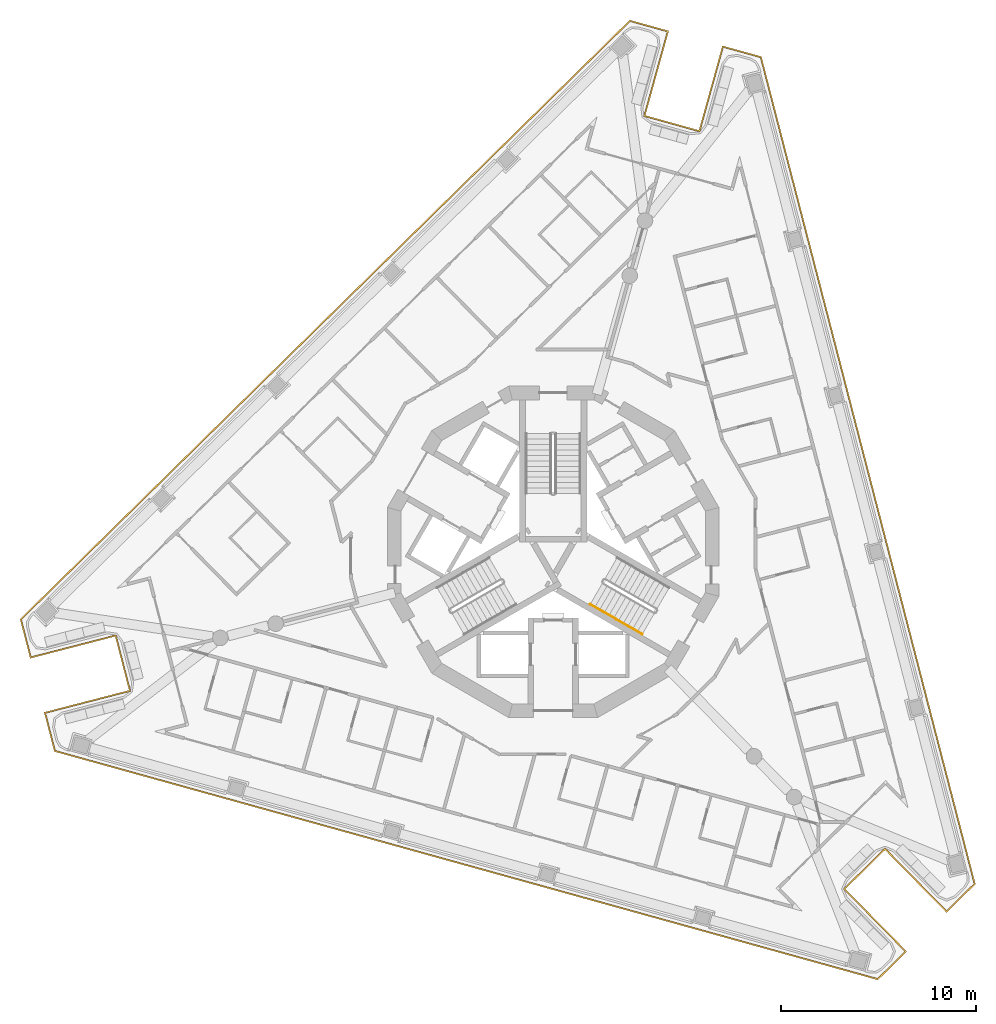
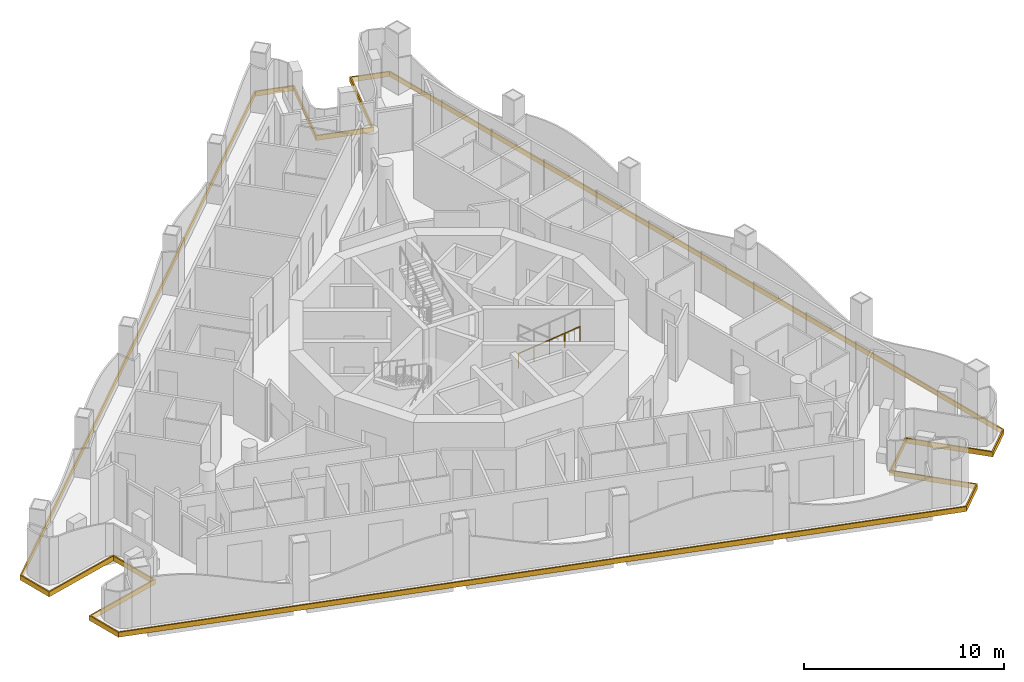
# One storey, part 12 of 15: 2 railings, 1 covering.
"""IFC4 building model written with IfcOpenShell, lengths in metres."""

from ifc_helpers import new_model, si_unit, direction, frame, origin, origin_2d, place, context, subcontext, project, spatial, polyline, circle, outline, extrude, material, layer, layer_set, type_object, element, save


model = new_model("IFC4")

# Units and contexts
model_context = context("Model", 3, precision=1e-05, world=origin(), true_north=direction((0.0, 1.0)))
body_context = subcontext(model_context, "Body", "Model", "MODEL_VIEW")
ifc_project = project(units=[si_unit("LENGTHUNIT", "METRE"), si_unit("AREAUNIT", "SQUARE_METRE"), si_unit("VOLUMEUNIT", "CUBIC_METRE"), si_unit("PLANEANGLEUNIT", "RADIAN"), si_unit("MASSUNIT", "GRAM", prefix="KILO")], contexts=[model_context])

# Site, building, storey
site_placement = place(None, origin())
site = spatial("IfcSite", under=ifc_project, at=site_placement, CompositionType="ELEMENT")
building_placement = place(site_placement, origin())
building = spatial("IfcBuilding", under=site, at=building_placement, Name="Trine Commons Tower", CompositionType="ELEMENT")
storey_placement = place(building_placement, frame((0.0, 0.0, 256.5)))
storey = spatial("IfcBuildingStorey", under=building, at=storey_placement, Name="L67", CompositionType="ELEMENT", Elevation=256.5)

# Covering
ifc_material_1 = material(Name="Limestone, honed", Category="masonry")
ifc_layer = layer(ifc_material_1, 0.074951171875)
ifc_layer_set = layer_set([ifc_layer], Name="Limestone, honed")
covering_type = type_object("IfcCoveringType", Name="Limestone spandrel panel 75", PredefinedType="CLADDING", material=ifc_layer_set)
covering_placement = place(storey_placement, frame((0.0, 0.0, -0.300048828125)))
element("IfcCovering", 1, at=covering_placement, inside=storey, type_object=covering_type, Name="Limestone spandrel panel 7-01", PredefinedType="CLADDING", context=body_context, shape_type="SweptSolid", body=[
    extrude(outline(polyline([(97.018310546875, 47.215087890625), (100.172607421875, 44.00537109375), (101.65771484375, 45.465087890625), (90.68359375, 87.899169921875), (88.677001953125, 88.45556640625), (87.474365234375, 84.119140625), (84.72802734375, 84.880859375), (85.9306640625, 89.21728515625), (83.923828125, 89.773681640625), (52.662109375, 59.052734375), (53.183349609375, 57.03662109375), (57.5400390625, 58.163330078125), (58.253662109375, 55.404052734375), (53.89697265625, 54.27734375), (54.418212890625, 52.26123046875), (96.654541015625, 40.548095703125), (98.1396484375, 42.0078125), (94.985595703125, 45.21728515625), (97.018310546875, 47.215087890625)]), holes=[polyline([(88.72900390625, 88.36328125), (90.621826171875, 87.83837890625), (101.57421875, 45.488037109375), (100.17333984375, 44.111572265625), (97.019287109375, 47.321044921875), (94.879638671875, 45.218505859375), (98.03369140625, 42.0087890625), (96.6328125, 40.632080078125), (54.47998046875, 52.322021484375), (53.98828125, 54.2236328125), (58.344970703125, 55.350341796875), (57.593994140625, 58.254638671875), (53.2373046875, 57.1279296875), (52.745361328125, 59.029541015625), (83.945556640625, 89.68994140625), (85.838134765625, 89.1650390625), (84.6357421875, 84.82861328125), (87.526611328125, 84.02685546875), (88.72900390625, 88.36328125)])]), origin(), (0.0, 0.0, 1.0), 0.300048828125),
])

# Railings
ifc_material_2 = material(Name="Stainless steel handrail", Category="steel")
railing_type = type_object("IfcRailingType", Name="Stair handrail, steel 900", PredefinedType="HANDRAIL", material=ifc_material_2)
railing_1_placement = place(storey_placement, frame((81.90234375, 59.81396484375, 1.949951171875)))
element("IfcRailing", 2, at=railing_1_placement, inside=storey, type_object=railing_type, Name="L67 ST3C stair handrail 3", PredefinedType="HANDRAIL", context=body_context, shape_type="SweptSolid", body=[
    extrude(circle(Radius=0.02099609375, at=origin_2d()), frame((0.0, 0.0, 0.87890625), z_axis=(0.76340495495, -0.440743040072, 0.472184759798), x_axis=(0.499992328818, 0.866029832698, 0.0)), (0.0, 0.0, 1.0), 1.7470703125),
    extrude(circle(Radius=0.01513671875, at=origin_2d()), origin(), (0.0, 0.0, 1.0), 0.85791015625),
    extrude(circle(Radius=0.01513671875, at=origin_2d()), frame((0.6669921875, -0.385009765625, 0.41259765625)), (0.0, 0.0, 1.0), 0.85791015625),
    extrude(circle(Radius=0.01513671875, at=origin_2d()), frame((1.333740234375, -0.77001953125, 0.824951171875)), (0.0, 0.0, 1.0), 0.85791015625),
])
railing_2_placement = place(storey_placement, frame((83.236083984375, 59.0439453125, 2.77490234375)))
element("IfcRailing", 3, at=railing_2_placement, inside=storey, type_object=railing_type, Name="L67 ST3C stair handrail 4", PredefinedType="HANDRAIL", context=body_context, shape_type="SweptSolid", body=[
    extrude(circle(Radius=0.02099609375, at=origin_2d()), frame((0.0, 0.0, 0.87890625), z_axis=(0.763354580307, -0.440713956853, 0.472293333596), x_axis=(0.499992328818, 0.866029832698, 0.0)), (0.0, 0.0, 1.0), 1.747314453125),
    extrude(circle(Radius=0.01513671875, at=origin_2d()), origin(), (0.0, 0.0, 1.0), 0.85791015625),
    extrude(circle(Radius=0.01513671875, at=origin_2d()), frame((0.6669921875, -0.385009765625, 0.41259765625)), (0.0, 0.0, 1.0), 0.85791015625),
    extrude(circle(Radius=0.01513671875, at=origin_2d()), frame((1.333740234375, -0.77001953125, 0.8251953125)), (0.0, 0.0, 1.0), 0.85791015625),
])

save(model, "model.ifc")
